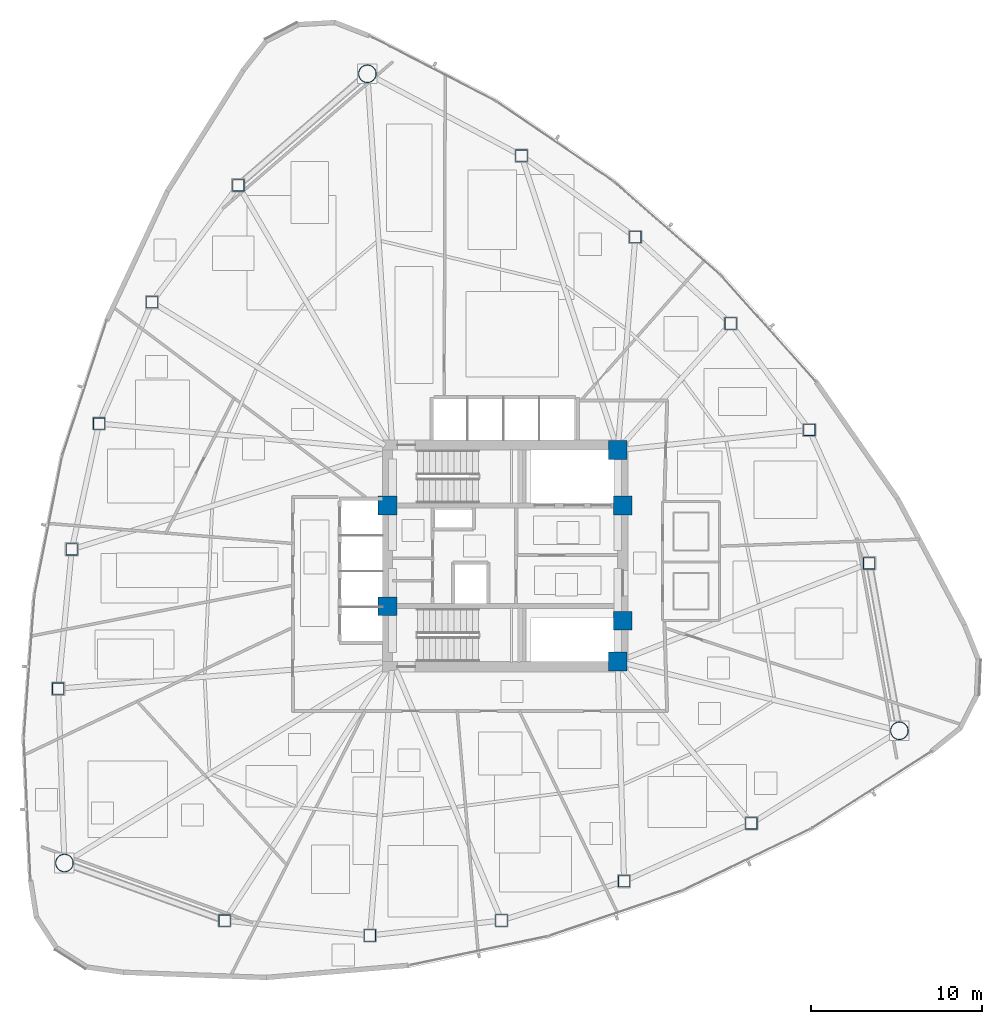
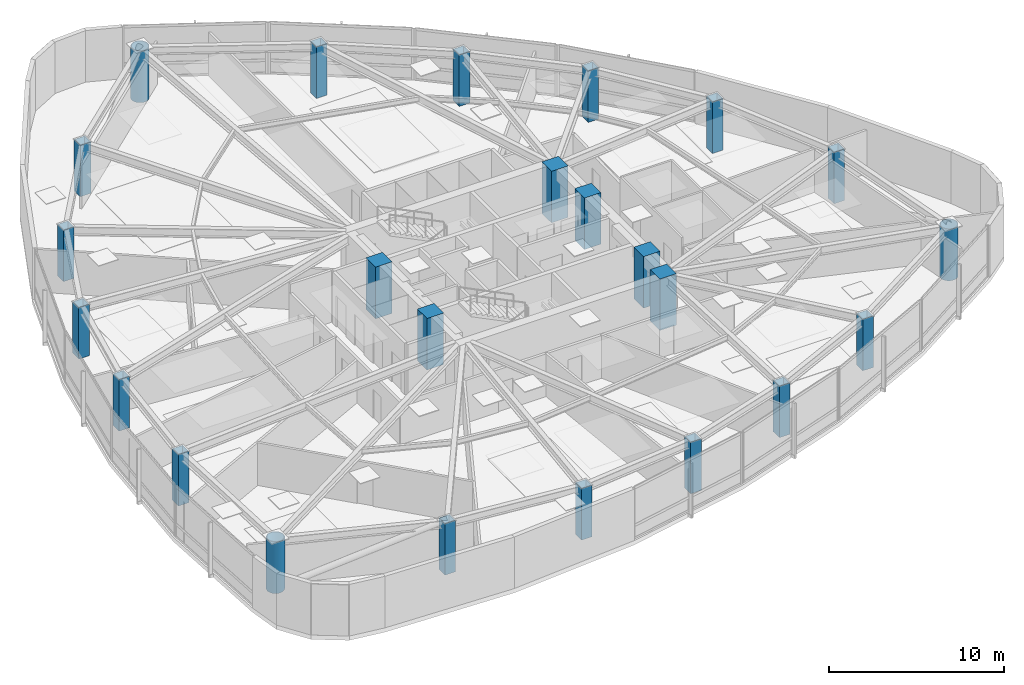
# One storey, part 1 of 17: 24 columns.
"""IFC4 building model written with IfcOpenShell, lengths in metres."""

from ifc_helpers import new_model, si_unit, direction, frame, origin, origin_2d, place, context, subcontext, project, spatial, rectangle, hollow_rectangle, hollow_circle, extrude, material, material_profile, profile_set, type_object, element, save


model = new_model("IFC4")

# Units and contexts
model_context = context("Model", 3, precision=1e-05, world=origin(), true_north=direction((0.0, 1.0)))
body_context = subcontext(model_context, "Body", "Model", "MODEL_VIEW")
ifc_project = project(units=[si_unit("LENGTHUNIT", "METRE"), si_unit("AREAUNIT", "SQUARE_METRE"), si_unit("VOLUMEUNIT", "CUBIC_METRE"), si_unit("PLANEANGLEUNIT", "RADIAN"), si_unit("MASSUNIT", "GRAM", prefix="KILO")], contexts=[model_context])

# Site, building, storey
site_placement = place(None, origin())
site = spatial("IfcSite", under=ifc_project, at=site_placement, CompositionType="ELEMENT")
building_placement = place(site_placement, origin())
building = spatial("IfcBuilding", under=site, at=building_placement, Name="Tavelor Broadcast Tower", CompositionType="ELEMENT")
storey_placement = place(building_placement, frame((0.0, 0.0, 90.0)))
storey = spatial("IfcBuildingStorey", under=building, at=storey_placement, Name="L21", CompositionType="ELEMENT", Elevation=90.0)

# Columns
ifc_material_1 = material(Name="Concrete C60/75", Category="concrete")
ifc_material_profile_1 = material_profile(ifc_material_1, rectangle(XDim=1.10009765625, YDim=1.10009765625, at=origin_2d()), Name="RC 1100x1100")
ifc_profile_set_1 = profile_set([ifc_material_profile_1], Name="Concrete C60/75")
column_type_1 = type_object("IfcColumnType", Name="Core Embedded Composite Column RC1100", PredefinedType="COLUMN", material=ifc_profile_set_1)
for number, where, z_axis, x_axis, name in (
    (1, (43.10009765625, 47.949951171875, 0.0), (0.0, 0.0, 1.0), (1.0, 0.0, 0.0), "L21 Core Embedded Column 1"),
    (2, (56.89990234375, 47.949951171875, 0.0), (0.0, 0.0, 1.0), (1.0, 0.0, 0.0), "L21 Core Embedded Column 2"),
    (3, (56.60009765625, 51.199951171875, 0.0), (0.0, 0.0, 1.0), (1.0, 0.0, 0.0), "L21 Core Embedded Column 3"),
    (4, (43.10009765625, 42.050048828125, 0.0), (0.0, 0.0, 1.0), (1.0, 0.0, 0.0), "L21 Core Embedded Column 4"),
    (5, (56.89990234375, 41.199951171875, 0.0), (0.0, 0.0, 1.0), (1.0, 0.0, 0.0), "L21 Core Embedded Column 5"),
    (6, (56.60009765625, 38.800048828125, 0.0), (0.0, 0.0, 1.0), (1.0, 0.0, 0.0), "L21 Core Embedded Column 6"),
):
    element("IfcColumn", number, at=place(storey_placement, frame(where, z_axis=z_axis, x_axis=x_axis)), inside=storey, type_object=column_type_1, Name=name, PredefinedType="COLUMN", context=body_context, shape_type="SweptSolid", body=[
        extrude(rectangle(XDim=1.10009765625, YDim=1.10009765625, at=origin_2d()), origin(), (0.0, 0.0, 1.0), 3.60009765625),
    ])
ifc_material_2 = material(Name="Steel S460", Category="steel")
ifc_material_profile_2 = material_profile(ifc_material_2, hollow_rectangle(XDim=0.699951171875, YDim=0.699951171875, WallThickness=0.0400390625, at=origin_2d()), Name="SHS 700x700x40")
ifc_profile_set_2 = profile_set([ifc_material_profile_2], Name="Steel S460")
column_type_2 = type_object("IfcColumnType", Name="Perimeter Tube Column T2 SHS 700x700x40", PredefinedType="COLUMN", material=ifc_profile_set_2)
for number, where, z_axis, x_axis, name in (
    (7, (34.356201171875, 66.727783203125, 0.0), (0.0, 0.0, 1.0), (1.0, 0.0, 0.0), "L21 Perimeter Framed-Tube Column 02"),
    (8, (29.292236328125, 59.87158203125, 0.0), (0.0, 0.0, 1.0), (1.0, 0.0, 0.0), "L21 Perimeter Framed-Tube Column 03"),
    (9, (26.189208984375, 52.75830078125, 0.0), (0.0, 0.0, 1.0), (1.0, 0.0, 0.0), "L21 Perimeter Framed-Tube Column 04"),
    (10, (24.58984375, 45.380615234375, 0.0), (0.0, 0.0, 1.0), (1.0, 0.0, 0.0), "L21 Perimeter Framed-Tube Column 05"),
    (11, (23.794677734375, 37.21630859375, 0.0), (0.0, 0.0, 1.0), (1.0, 0.0, 0.0), "L21 Perimeter Framed-Tube Column 06"),
    (12, (33.55078125, 23.615478515625, 0.0), (0.0, 0.0, 1.0), (1.0, 0.0, 0.0), "L21 Perimeter Framed-Tube Column 08"),
    (13, (42.0732421875, 22.740478515625, 0.0), (0.0, 0.0, 1.0), (1.0, 0.0, 0.0), "L21 Perimeter Framed-Tube Column 09"),
    (14, (49.78662109375, 23.617919921875, 0.0), (0.0, 0.0, 1.0), (1.0, 0.0, 0.0), "L21 Perimeter Framed-Tube Column 10"),
    (15, (56.975341796875, 25.92138671875, 0.0), (0.0, 0.0, 1.0), (1.0, 0.0, 0.0), "L21 Perimeter Framed-Tube Column 11"),
    (16, (64.443603515625, 29.31494140625, 0.0), (0.0, 0.0, 1.0), (1.0, 0.0, 0.0), "L21 Perimeter Framed-Tube Column 12"),
    (17, (71.343994140625, 44.564697265625, 0.0), (0.0, 0.0, 1.0), (1.0, 0.0, 0.0), "L21 Perimeter Framed-Tube Column 14"),
    (18, (67.8408203125, 52.382568359375, 0.0), (0.0, 0.0, 1.0), (1.0, 0.0, 0.0), "L21 Perimeter Framed-Tube Column 15"),
    (19, (63.22412109375, 58.623779296875, 0.0), (0.0, 0.0, 1.0), (1.0, 0.0, 0.0), "L21 Perimeter Framed-Tube Column 16"),
    (20, (57.634765625, 63.69775390625, 0.0), (0.0, 0.0, 1.0), (1.0, 0.0, 0.0), "L21 Perimeter Framed-Tube Column 17"),
    (21, (50.9619140625, 68.468505859375, 0.0), (0.0, 0.0, 1.0), (1.0, 0.0, 0.0), "L21 Perimeter Framed-Tube Column 18"),
):
    element("IfcColumn", number, at=place(storey_placement, frame(where, z_axis=z_axis, x_axis=x_axis)), inside=storey, type_object=column_type_2, Name=name, PredefinedType="COLUMN", context=body_context, shape_type="SweptSolid", body=[
        extrude(hollow_rectangle(XDim=0.699951171875, YDim=0.699951171875, WallThickness=0.0400390625, at=origin_2d()), origin(), (0.0, 0.0, 1.0), 3.60009765625),
    ])
ifc_material_profile_3 = material_profile(ifc_material_2, hollow_circle(Radius=0.533447265625, WallThickness=0.044921875, at=origin_2d()), Name="CHS 1067x45")
ifc_profile_set_3 = profile_set([ifc_material_profile_3], Name="Steel S460")
column_type_3 = type_object("IfcColumnType", Name="Tower Mega Column T2 CHS 1067x45", PredefinedType="COLUMN", material=ifc_profile_set_3)
for number, where, z_axis, x_axis, name in (
    (22, (41.923095703125, 73.266357421875, 0.0), (0.0, 0.0, 1.0), (1.0, 0.0, 0.0), "L21 Tower Corner Mega Column 01"),
    (23, (24.1591796875, 26.98974609375, 0.0), (0.0, 0.0, 1.0), (1.0, 0.0, 0.0), "L21 Tower Corner Mega Column 07"),
    (24, (73.117919921875, 34.743896484375, 0.0), (0.0, 0.0, 1.0), (1.0, 0.0, 0.0), "L21 Tower Corner Mega Column 13"),
):
    element("IfcColumn", number, at=place(storey_placement, frame(where, z_axis=z_axis, x_axis=x_axis)), inside=storey, type_object=column_type_3, Name=name, PredefinedType="COLUMN", context=body_context, shape_type="SweptSolid", body=[
        extrude(hollow_circle(Radius=0.533447265625, WallThickness=0.044921875, at=origin_2d()), origin(), (0.0, 0.0, 1.0), 3.60009765625),
    ])

save(model, "model.ifc")
